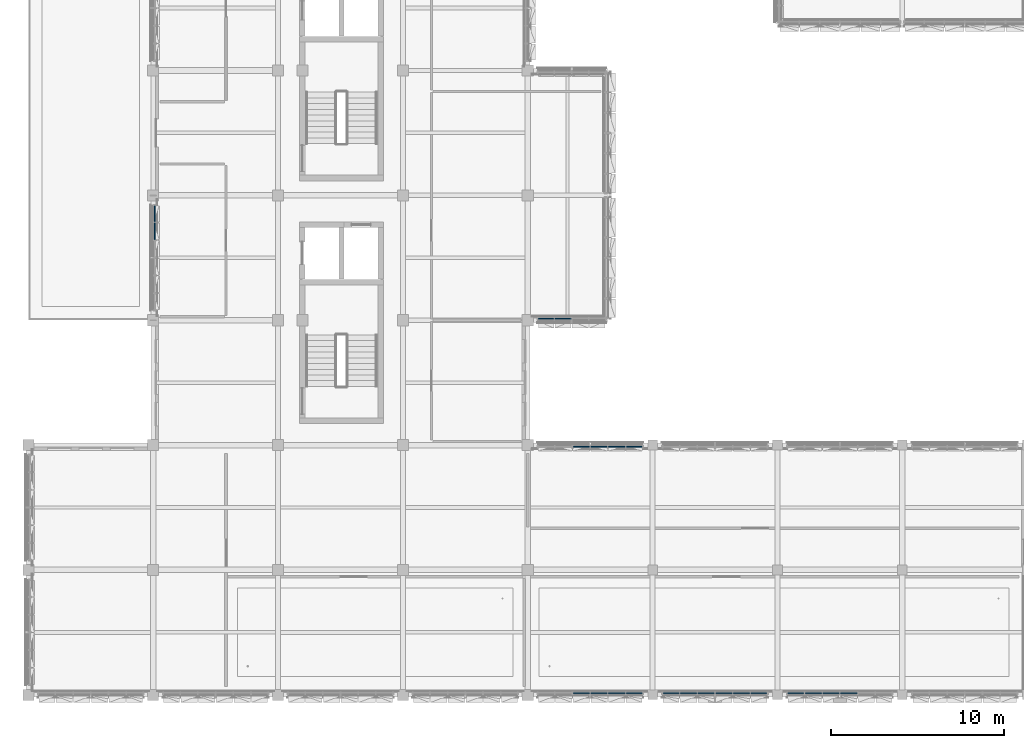
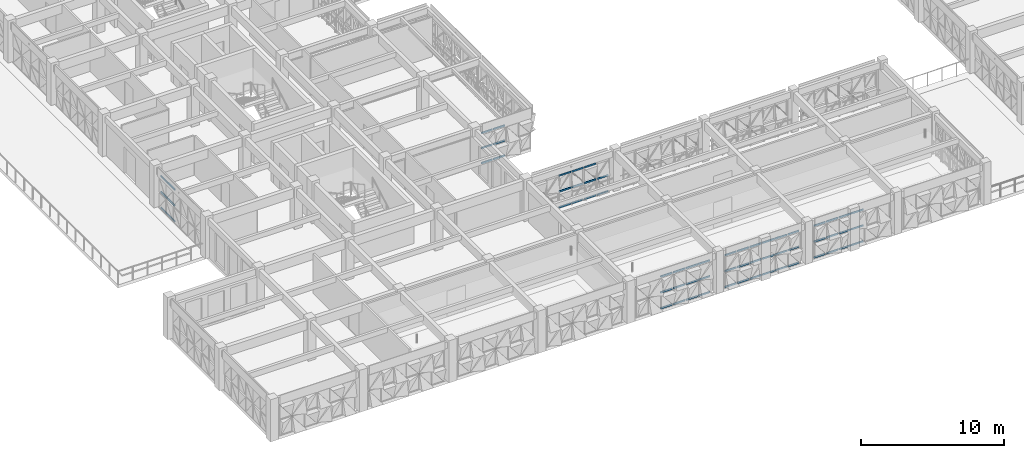
# One storey, part 21 of 85: 65 members, 6 elements without a shape of their own.
"""IFC4 building model written with IfcOpenShell, lengths in metres."""

from ifc_helpers import new_model, si_unit, direction, frame, origin, origin_2d, place, context, subcontext, project, spatial, rectangle, extrude, material, material_profile, profile_set, type_object, element, aggregate, save


model = new_model("IFC4")

# Units and contexts
model_context = context("Model", 3, precision=1e-05, world=origin(), true_north=direction((0.0, 1.0)))
body_context = subcontext(model_context, "Body", "Model", "MODEL_VIEW")
ifc_project = project(units=[si_unit("LENGTHUNIT", "METRE"), si_unit("AREAUNIT", "SQUARE_METRE"), si_unit("VOLUMEUNIT", "CUBIC_METRE"), si_unit("PLANEANGLEUNIT", "RADIAN"), si_unit("MASSUNIT", "GRAM", prefix="KILO")], contexts=[model_context])

# Site, building, storey
site_placement = place(None, origin())
site = spatial("IfcSite", under=ifc_project, at=site_placement, CompositionType="ELEMENT")
building_placement = place(site_placement, origin())
building = spatial("IfcBuilding", under=site, at=building_placement, Name="Alvorim Cloister Faculty of Sciences", CompositionType="ELEMENT")
storey_placement = place(building_placement, frame((0.0, 0.0, 8.550048828125)))
storey = spatial("IfcBuildingStorey", under=building, at=storey_placement, Name="L02", CompositionType="ELEMENT", Elevation=8.550048828125)

# Curtain wall, members
ifc_material_1 = material(Name="Aluminium and Low-E Glass Curtain Wall", Category="aluminium")
curtain_wall_type_1 = type_object("IfcCurtainWallType", Name="CW-TRI-6120x2850", PredefinedType="USERDEFINED", material=ifc_material_1)
curtain_wall_1_placement = place(storey_placement, origin())
curtain_wall_1 = element("IfcCurtainWall", 1, at=curtain_wall_1_placement, inside=storey, type_object=curtain_wall_type_1, Name="L02 Diagonal Cassette Curtain Wall CW-0051", ObjectType="UNITISED CURTAIN WALL", PredefinedType="USERDEFINED")
ifc_material_2 = material(Name="Aluminium Alloy 6063-T6", Category="aluminium")
ifc_material_profile = material_profile(ifc_material_2, rectangle(XDim=0.06494140625, YDim=0.139892578125, at=origin_2d()), Name="ALU-TRN-65x140")
ifc_profile_set = profile_set([ifc_material_profile], Name="Aluminium Alloy 6063-T6")
member_type = type_object("IfcMemberType", Name="CW-TRN-65x140", PredefinedType="USERDEFINED", material=ifc_profile_set)
member_1_placement = place(storey_placement, frame((7.2900390625, 26.25244140625, 0.070068359375), z_axis=(0.0, 1.0, 0.0), x_axis=(-1.0, 0.0, 0.0)))
member_1 = element("IfcMember", 2, at=member_1_placement, type_object=member_type, Name="CW-0051 Transom 5.1", ObjectType="TRANSOM", PredefinedType="USERDEFINED", context=body_context, shape_type="SweptSolid", body=[
    extrude(rectangle(XDim=0.06494140625, YDim=0.139892578125, at=origin_2d()), origin(), (0.0, 0.0, 1.0), 0.955078125),
])
member_2_placement = place(storey_placement, frame((7.2900390625, 26.25244140625, 1.425048828125), z_axis=(0.0, 1.0, 0.0), x_axis=(-1.0, 0.0, 0.0)))
member_2 = element("IfcMember", 3, at=member_2_placement, type_object=member_type, Name="CW-0051 Transom 5.2", ObjectType="TRANSOM", PredefinedType="USERDEFINED", context=body_context, shape_type="SweptSolid", body=[
    extrude(rectangle(XDim=0.06494140625, YDim=0.139892578125, at=origin_2d()), origin(), (0.0, 0.0, 1.0), 0.955078125),
])
member_3_placement = place(storey_placement, frame((7.2900390625, 26.25244140625, 2.780029296875), z_axis=(0.0, 1.0, 0.0), x_axis=(-1.0, 0.0, 0.0)))
member_3 = element("IfcMember", 4, at=member_3_placement, type_object=member_type, Name="CW-0051 Transom 5.3", ObjectType="TRANSOM", PredefinedType="USERDEFINED", context=body_context, shape_type="SweptSolid", body=[
    extrude(rectangle(XDim=0.06494140625, YDim=0.139892578125, at=origin_2d()), origin(), (0.0, 0.0, 1.0), 0.955078125),
])
member_4_placement = place(storey_placement, frame((7.2900390625, 27.2724609375, 0.070068359375), z_axis=(0.0, 1.0, 0.0), x_axis=(-1.0, 0.0, 0.0)))
member_4 = element("IfcMember", 5, at=member_4_placement, type_object=member_type, Name="CW-0051 Transom 6.1", ObjectType="TRANSOM", PredefinedType="USERDEFINED", context=body_context, shape_type="SweptSolid", body=[
    extrude(rectangle(XDim=0.06494140625, YDim=0.139892578125, at=origin_2d()), origin(), (0.0, 0.0, 1.0), 0.922607421875),
])
member_5_placement = place(storey_placement, frame((7.2900390625, 27.2724609375, 1.425048828125), z_axis=(0.0, 1.0, 0.0), x_axis=(-1.0, 0.0, 0.0)))
member_5 = element("IfcMember", 6, at=member_5_placement, type_object=member_type, Name="CW-0051 Transom 6.2", ObjectType="TRANSOM", PredefinedType="USERDEFINED", context=body_context, shape_type="SweptSolid", body=[
    extrude(rectangle(XDim=0.06494140625, YDim=0.139892578125, at=origin_2d()), origin(), (0.0, 0.0, 1.0), 0.922607421875),
])
member_6_placement = place(storey_placement, frame((7.2900390625, 27.2724609375, 2.780029296875), z_axis=(0.0, 1.0, 0.0), x_axis=(-1.0, 0.0, 0.0)))
member_6 = element("IfcMember", 7, at=member_6_placement, type_object=member_type, Name="CW-0051 Transom 6.3", ObjectType="TRANSOM", PredefinedType="USERDEFINED", context=body_context, shape_type="SweptSolid", body=[
    extrude(rectangle(XDim=0.06494140625, YDim=0.139892578125, at=origin_2d()), origin(), (0.0, 0.0, 1.0), 0.922607421875),
])
aggregate(curtain_wall_1, [member_1, member_2, member_3, member_4, member_5, member_6])

curtain_wall_type_2 = type_object("IfcCurtainWallType", Name="CW-TRI-3980x2706", PredefinedType="USERDEFINED", material=ifc_material_1)
curtain_wall_2_placement = place(storey_placement, origin())
curtain_wall_2 = element("IfcCurtainWall", 8, at=curtain_wall_2_placement, inside=storey, type_object=curtain_wall_type_2, Name="L02 Diagonal Cassette Curtain Wall CW-0074", ObjectType="UNITISED CURTAIN WALL", PredefinedType="USERDEFINED")
member_7_placement = place(storey_placement, frame((29.405029296875, 21.68994140625, 0.070068359375), z_axis=(1.0, 0.0, 0.0), x_axis=(0.0, 1.0, 0.0)))
member_7 = element("IfcMember", 9, at=member_7_placement, type_object=member_type, Name="CW-0074 Transom 1.1", ObjectType="TRANSOM", PredefinedType="USERDEFINED", context=body_context, shape_type="SweptSolid", body=[
    extrude(rectangle(XDim=0.06494140625, YDim=0.139892578125, at=origin_2d()), origin(), (0.0, 0.0, 1.0), 0.8974609375),
])
member_8_placement = place(storey_placement, frame((29.405029296875, 21.68994140625, 1.35302734375), z_axis=(1.0, 0.0, 0.0), x_axis=(0.0, 1.0, 0.0)))
member_8 = element("IfcMember", 10, at=member_8_placement, type_object=member_type, Name="CW-0074 Transom 1.2", ObjectType="TRANSOM", PredefinedType="USERDEFINED", context=body_context, shape_type="SweptSolid", body=[
    extrude(rectangle(XDim=0.06494140625, YDim=0.139892578125, at=origin_2d()), origin(), (0.0, 0.0, 1.0), 0.8974609375),
])
member_9_placement = place(storey_placement, frame((29.405029296875, 21.68994140625, 2.635986328125), z_axis=(1.0, 0.0, 0.0), x_axis=(0.0, 1.0, 0.0)))
member_9 = element("IfcMember", 11, at=member_9_placement, type_object=member_type, Name="CW-0074 Transom 1.3", ObjectType="TRANSOM", PredefinedType="USERDEFINED", context=body_context, shape_type="SweptSolid", body=[
    extrude(rectangle(XDim=0.06494140625, YDim=0.139892578125, at=origin_2d()), origin(), (0.0, 0.0, 1.0), 0.8974609375),
])
member_10_placement = place(storey_placement, frame((30.367431640625, 21.68994140625, 0.070068359375), z_axis=(1.0, 0.0, 0.0), x_axis=(0.0, 1.0, 0.0)))
member_10 = element("IfcMember", 12, at=member_10_placement, type_object=member_type, Name="CW-0074 Transom 2.1", ObjectType="TRANSOM", PredefinedType="USERDEFINED", context=body_context, shape_type="SweptSolid", body=[
    extrude(rectangle(XDim=0.06494140625, YDim=0.139892578125, at=origin_2d()), origin(), (0.0, 0.0, 1.0), 0.93017578125),
])
member_11_placement = place(storey_placement, frame((30.367431640625, 21.68994140625, 1.35302734375), z_axis=(1.0, 0.0, 0.0), x_axis=(0.0, 1.0, 0.0)))
member_11 = element("IfcMember", 13, at=member_11_placement, type_object=member_type, Name="CW-0074 Transom 2.2", ObjectType="TRANSOM", PredefinedType="USERDEFINED", context=body_context, shape_type="SweptSolid", body=[
    extrude(rectangle(XDim=0.06494140625, YDim=0.139892578125, at=origin_2d()), origin(), (0.0, 0.0, 1.0), 0.93017578125),
])
member_12_placement = place(storey_placement, frame((30.367431640625, 21.68994140625, 2.635986328125), z_axis=(1.0, 0.0, 0.0), x_axis=(0.0, 1.0, 0.0)))
member_12 = element("IfcMember", 14, at=member_12_placement, type_object=member_type, Name="CW-0074 Transom 2.3", ObjectType="TRANSOM", PredefinedType="USERDEFINED", context=body_context, shape_type="SweptSolid", body=[
    extrude(rectangle(XDim=0.06494140625, YDim=0.139892578125, at=origin_2d()), origin(), (0.0, 0.0, 1.0), 0.93017578125),
])
aggregate(curtain_wall_2, [member_7, member_8, member_9, member_10, member_11, member_12])

curtain_wall_3_placement = place(storey_placement, origin())
curtain_wall_3 = element("IfcCurtainWall", 15, at=curtain_wall_3_placement, inside=storey, type_object=curtain_wall_type_1, Name="L02 Diagonal Cassette Curtain Wall CW-0075", ObjectType="UNITISED CURTAIN WALL", PredefinedType="USERDEFINED")
member_13_placement = place(storey_placement, frame((31.41259765625, 14.31005859375, 0.070068359375), z_axis=(1.0, 0.0, 0.0), x_axis=(0.0, 1.0, 0.0)))
member_13 = element("IfcMember", 16, at=member_13_placement, type_object=member_type, Name="CW-0075 Transom 3.1", ObjectType="TRANSOM", PredefinedType="USERDEFINED", context=body_context, shape_type="SweptSolid", body=[
    extrude(rectangle(XDim=0.06494140625, YDim=0.139892578125, at=origin_2d()), origin(), (0.0, 0.0, 1.0), 0.954833984375),
])
member_14_placement = place(storey_placement, frame((31.41259765625, 14.31005859375, 1.425048828125), z_axis=(1.0, 0.0, 0.0), x_axis=(0.0, 1.0, 0.0)))
member_14 = element("IfcMember", 17, at=member_14_placement, type_object=member_type, Name="CW-0075 Transom 3.2", ObjectType="TRANSOM", PredefinedType="USERDEFINED", context=body_context, shape_type="SweptSolid", body=[
    extrude(rectangle(XDim=0.06494140625, YDim=0.139892578125, at=origin_2d()), origin(), (0.0, 0.0, 1.0), 0.954833984375),
])
member_15_placement = place(storey_placement, frame((31.41259765625, 14.31005859375, 2.780029296875), z_axis=(1.0, 0.0, 0.0), x_axis=(0.0, 1.0, 0.0)))
member_15 = element("IfcMember", 18, at=member_15_placement, type_object=member_type, Name="CW-0075 Transom 3.3", ObjectType="TRANSOM", PredefinedType="USERDEFINED", context=body_context, shape_type="SweptSolid", body=[
    extrude(rectangle(XDim=0.06494140625, YDim=0.139892578125, at=origin_2d()), origin(), (0.0, 0.0, 1.0), 0.954833984375),
])
member_16_placement = place(storey_placement, frame((32.4326171875, 14.31005859375, 0.070068359375), z_axis=(1.0, 0.0, 0.0), x_axis=(0.0, 1.0, 0.0)))
member_16 = element("IfcMember", 19, at=member_16_placement, type_object=member_type, Name="CW-0075 Transom 4.1", ObjectType="TRANSOM", PredefinedType="USERDEFINED", context=body_context, shape_type="SweptSolid", body=[
    extrude(rectangle(XDim=0.06494140625, YDim=0.139892578125, at=origin_2d()), origin(), (0.0, 0.0, 1.0), 0.954833984375),
])
member_17_placement = place(storey_placement, frame((32.4326171875, 14.31005859375, 1.425048828125), z_axis=(1.0, 0.0, 0.0), x_axis=(0.0, 1.0, 0.0)))
member_17 = element("IfcMember", 20, at=member_17_placement, type_object=member_type, Name="CW-0075 Transom 4.2", ObjectType="TRANSOM", PredefinedType="USERDEFINED", context=body_context, shape_type="SweptSolid", body=[
    extrude(rectangle(XDim=0.06494140625, YDim=0.139892578125, at=origin_2d()), origin(), (0.0, 0.0, 1.0), 0.954833984375),
])
member_18_placement = place(storey_placement, frame((32.4326171875, 14.31005859375, 2.780029296875), z_axis=(1.0, 0.0, 0.0), x_axis=(0.0, 1.0, 0.0)))
member_18 = element("IfcMember", 21, at=member_18_placement, type_object=member_type, Name="CW-0075 Transom 4.3", ObjectType="TRANSOM", PredefinedType="USERDEFINED", context=body_context, shape_type="SweptSolid", body=[
    extrude(rectangle(XDim=0.06494140625, YDim=0.139892578125, at=origin_2d()), origin(), (0.0, 0.0, 1.0), 0.954833984375),
])
member_19_placement = place(storey_placement, frame((33.452392578125, 14.31005859375, 0.070068359375), z_axis=(1.0, 0.0, 0.0), x_axis=(0.0, 1.0, 0.0)))
member_19 = element("IfcMember", 22, at=member_19_placement, type_object=member_type, Name="CW-0075 Transom 5.1", ObjectType="TRANSOM", PredefinedType="USERDEFINED", context=body_context, shape_type="SweptSolid", body=[
    extrude(rectangle(XDim=0.06494140625, YDim=0.139892578125, at=origin_2d()), origin(), (0.0, 0.0, 1.0), 0.955078125),
])
member_20_placement = place(storey_placement, frame((33.452392578125, 14.31005859375, 1.425048828125), z_axis=(1.0, 0.0, 0.0), x_axis=(0.0, 1.0, 0.0)))
member_20 = element("IfcMember", 23, at=member_20_placement, type_object=member_type, Name="CW-0075 Transom 5.2", ObjectType="TRANSOM", PredefinedType="USERDEFINED", context=body_context, shape_type="SweptSolid", body=[
    extrude(rectangle(XDim=0.06494140625, YDim=0.139892578125, at=origin_2d()), origin(), (0.0, 0.0, 1.0), 0.955078125),
])
member_21_placement = place(storey_placement, frame((33.452392578125, 14.31005859375, 2.780029296875), z_axis=(1.0, 0.0, 0.0), x_axis=(0.0, 1.0, 0.0)))
member_21 = element("IfcMember", 24, at=member_21_placement, type_object=member_type, Name="CW-0075 Transom 5.3", ObjectType="TRANSOM", PredefinedType="USERDEFINED", context=body_context, shape_type="SweptSolid", body=[
    extrude(rectangle(XDim=0.06494140625, YDim=0.139892578125, at=origin_2d()), origin(), (0.0, 0.0, 1.0), 0.955078125),
])
member_22_placement = place(storey_placement, frame((34.472412109375, 14.31005859375, 0.070068359375), z_axis=(1.0, 0.0, 0.0), x_axis=(0.0, 1.0, 0.0)))
member_22 = element("IfcMember", 25, at=member_22_placement, type_object=member_type, Name="CW-0075 Transom 6.1", ObjectType="TRANSOM", PredefinedType="USERDEFINED", context=body_context, shape_type="SweptSolid", body=[
    extrude(rectangle(XDim=0.06494140625, YDim=0.139892578125, at=origin_2d()), origin(), (0.0, 0.0, 1.0), 0.922607421875),
])
member_23_placement = place(storey_placement, frame((34.472412109375, 14.31005859375, 1.425048828125), z_axis=(1.0, 0.0, 0.0), x_axis=(0.0, 1.0, 0.0)))
member_23 = element("IfcMember", 26, at=member_23_placement, type_object=member_type, Name="CW-0075 Transom 6.2", ObjectType="TRANSOM", PredefinedType="USERDEFINED", context=body_context, shape_type="SweptSolid", body=[
    extrude(rectangle(XDim=0.06494140625, YDim=0.139892578125, at=origin_2d()), origin(), (0.0, 0.0, 1.0), 0.922607421875),
])
aggregate(curtain_wall_3, [member_13, member_14, member_15, member_16, member_17, member_18, member_19, member_20, member_21, member_22, member_23])

curtain_wall_4_placement = place(storey_placement, origin())
curtain_wall_4 = element("IfcCurtainWall", 27, at=curtain_wall_4_placement, inside=storey, type_object=curtain_wall_type_1, Name="L02 Diagonal Cassette Curtain Wall CW-0081", ObjectType="UNITISED CURTAIN WALL", PredefinedType="USERDEFINED")
member_24_placement = place(storey_placement, frame((43.804931640625, 0.090087890625, 0.070068359375), z_axis=(1.0, 0.0, 0.0), x_axis=(0.0, 1.0, 0.0)))
member_24 = element("IfcMember", 28, at=member_24_placement, type_object=member_type, Name="CW-0081 Transom 1.1", ObjectType="TRANSOM", PredefinedType="USERDEFINED", context=body_context, shape_type="SweptSolid", body=[
    extrude(rectangle(XDim=0.06494140625, YDim=0.139892578125, at=origin_2d()), origin(), (0.0, 0.0, 1.0), 0.922607421875),
])
member_25_placement = place(storey_placement, frame((43.804931640625, 0.090087890625, 1.425048828125), z_axis=(1.0, 0.0, 0.0), x_axis=(0.0, 1.0, 0.0)))
member_25 = element("IfcMember", 29, at=member_25_placement, type_object=member_type, Name="CW-0081 Transom 1.2", ObjectType="TRANSOM", PredefinedType="USERDEFINED", context=body_context, shape_type="SweptSolid", body=[
    extrude(rectangle(XDim=0.06494140625, YDim=0.139892578125, at=origin_2d()), origin(), (0.0, 0.0, 1.0), 0.922607421875),
])
member_26_placement = place(storey_placement, frame((43.804931640625, 0.090087890625, 2.780029296875), z_axis=(1.0, 0.0, 0.0), x_axis=(0.0, 1.0, 0.0)))
member_26 = element("IfcMember", 30, at=member_26_placement, type_object=member_type, Name="CW-0081 Transom 1.3", ObjectType="TRANSOM", PredefinedType="USERDEFINED", context=body_context, shape_type="SweptSolid", body=[
    extrude(rectangle(XDim=0.06494140625, YDim=0.139892578125, at=origin_2d()), origin(), (0.0, 0.0, 1.0), 0.922607421875),
])
member_27_placement = place(storey_placement, frame((44.79248046875, 0.090087890625, 0.070068359375), z_axis=(1.0, 0.0, 0.0), x_axis=(0.0, 1.0, 0.0)))
member_27 = element("IfcMember", 31, at=member_27_placement, type_object=member_type, Name="CW-0081 Transom 2.1", ObjectType="TRANSOM", PredefinedType="USERDEFINED", context=body_context, shape_type="SweptSolid", body=[
    extrude(rectangle(XDim=0.06494140625, YDim=0.139892578125, at=origin_2d()), origin(), (0.0, 0.0, 1.0), 0.955078125),
])
member_28_placement = place(storey_placement, frame((44.79248046875, 0.090087890625, 1.425048828125), z_axis=(1.0, 0.0, 0.0), x_axis=(0.0, 1.0, 0.0)))
member_28 = element("IfcMember", 32, at=member_28_placement, type_object=member_type, Name="CW-0081 Transom 2.2", ObjectType="TRANSOM", PredefinedType="USERDEFINED", context=body_context, shape_type="SweptSolid", body=[
    extrude(rectangle(XDim=0.06494140625, YDim=0.139892578125, at=origin_2d()), origin(), (0.0, 0.0, 1.0), 0.955078125),
])
member_29_placement = place(storey_placement, frame((44.79248046875, 0.090087890625, 2.780029296875), z_axis=(1.0, 0.0, 0.0), x_axis=(0.0, 1.0, 0.0)))
member_29 = element("IfcMember", 33, at=member_29_placement, type_object=member_type, Name="CW-0081 Transom 2.3", ObjectType="TRANSOM", PredefinedType="USERDEFINED", context=body_context, shape_type="SweptSolid", body=[
    extrude(rectangle(XDim=0.06494140625, YDim=0.139892578125, at=origin_2d()), origin(), (0.0, 0.0, 1.0), 0.955078125),
])
member_30_placement = place(storey_placement, frame((45.8125, 0.090087890625, 0.070068359375), z_axis=(1.0, 0.0, 0.0), x_axis=(0.0, 1.0, 0.0)))
member_30 = element("IfcMember", 34, at=member_30_placement, type_object=member_type, Name="CW-0081 Transom 3.1", ObjectType="TRANSOM", PredefinedType="USERDEFINED", context=body_context, shape_type="SweptSolid", body=[
    extrude(rectangle(XDim=0.06494140625, YDim=0.139892578125, at=origin_2d()), origin(), (0.0, 0.0, 1.0), 0.955078125),
])
member_31_placement = place(storey_placement, frame((45.8125, 0.090087890625, 1.425048828125), z_axis=(1.0, 0.0, 0.0), x_axis=(0.0, 1.0, 0.0)))
member_31 = element("IfcMember", 35, at=member_31_placement, type_object=member_type, Name="CW-0081 Transom 3.2", ObjectType="TRANSOM", PredefinedType="USERDEFINED", context=body_context, shape_type="SweptSolid", body=[
    extrude(rectangle(XDim=0.06494140625, YDim=0.139892578125, at=origin_2d()), origin(), (0.0, 0.0, 1.0), 0.955078125),
])
member_32_placement = place(storey_placement, frame((45.8125, 0.090087890625, 2.780029296875), z_axis=(1.0, 0.0, 0.0), x_axis=(0.0, 1.0, 0.0)))
member_32 = element("IfcMember", 36, at=member_32_placement, type_object=member_type, Name="CW-0081 Transom 3.3", ObjectType="TRANSOM", PredefinedType="USERDEFINED", context=body_context, shape_type="SweptSolid", body=[
    extrude(rectangle(XDim=0.06494140625, YDim=0.139892578125, at=origin_2d()), origin(), (0.0, 0.0, 1.0), 0.955078125),
])
member_33_placement = place(storey_placement, frame((46.83251953125, 0.090087890625, 0.070068359375), z_axis=(1.0, 0.0, 0.0), x_axis=(0.0, 1.0, 0.0)))
member_33 = element("IfcMember", 37, at=member_33_placement, type_object=member_type, Name="CW-0081 Transom 4.1", ObjectType="TRANSOM", PredefinedType="USERDEFINED", context=body_context, shape_type="SweptSolid", body=[
    extrude(rectangle(XDim=0.06494140625, YDim=0.139892578125, at=origin_2d()), origin(), (0.0, 0.0, 1.0), 0.955078125),
])
member_34_placement = place(storey_placement, frame((46.83251953125, 0.090087890625, 1.425048828125), z_axis=(1.0, 0.0, 0.0), x_axis=(0.0, 1.0, 0.0)))
member_34 = element("IfcMember", 38, at=member_34_placement, type_object=member_type, Name="CW-0081 Transom 4.2", ObjectType="TRANSOM", PredefinedType="USERDEFINED", context=body_context, shape_type="SweptSolid", body=[
    extrude(rectangle(XDim=0.06494140625, YDim=0.139892578125, at=origin_2d()), origin(), (0.0, 0.0, 1.0), 0.955078125),
])
member_35_placement = place(storey_placement, frame((46.83251953125, 0.090087890625, 2.780029296875), z_axis=(1.0, 0.0, 0.0), x_axis=(0.0, 1.0, 0.0)))
member_35 = element("IfcMember", 39, at=member_35_placement, type_object=member_type, Name="CW-0081 Transom 4.3", ObjectType="TRANSOM", PredefinedType="USERDEFINED", context=body_context, shape_type="SweptSolid", body=[
    extrude(rectangle(XDim=0.06494140625, YDim=0.139892578125, at=origin_2d()), origin(), (0.0, 0.0, 1.0), 0.955078125),
])
aggregate(curtain_wall_4, [member_24, member_25, member_26, member_27, member_28, member_29, member_30, member_31, member_32, member_33, member_34, member_35])

curtain_wall_5_placement = place(storey_placement, origin())
curtain_wall_5 = element("IfcCurtainWall", 40, at=curtain_wall_5_placement, inside=storey, type_object=curtain_wall_type_1, Name="L02 Diagonal Cassette Curtain Wall CW-0082", ObjectType="UNITISED CURTAIN WALL", PredefinedType="USERDEFINED")
member_36_placement = place(storey_placement, frame((36.60498046875, 0.090087890625, 0.070068359375), z_axis=(1.0, 0.0, 0.0), x_axis=(0.0, 1.0, 0.0)))
member_36 = element("IfcMember", 41, at=member_36_placement, type_object=member_type, Name="CW-0082 Transom 1.1", ObjectType="TRANSOM", PredefinedType="USERDEFINED", context=body_context, shape_type="SweptSolid", body=[
    extrude(rectangle(XDim=0.06494140625, YDim=0.139892578125, at=origin_2d()), origin(), (0.0, 0.0, 1.0), 0.922607421875),
])
member_37_placement = place(storey_placement, frame((36.60498046875, 0.090087890625, 1.425048828125), z_axis=(1.0, 0.0, 0.0), x_axis=(0.0, 1.0, 0.0)))
member_37 = element("IfcMember", 42, at=member_37_placement, type_object=member_type, Name="CW-0082 Transom 1.2", ObjectType="TRANSOM", PredefinedType="USERDEFINED", context=body_context, shape_type="SweptSolid", body=[
    extrude(rectangle(XDim=0.06494140625, YDim=0.139892578125, at=origin_2d()), origin(), (0.0, 0.0, 1.0), 0.922607421875),
])
member_38_placement = place(storey_placement, frame((36.60498046875, 0.090087890625, 2.780029296875), z_axis=(1.0, 0.0, 0.0), x_axis=(0.0, 1.0, 0.0)))
member_38 = element("IfcMember", 43, at=member_38_placement, type_object=member_type, Name="CW-0082 Transom 1.3", ObjectType="TRANSOM", PredefinedType="USERDEFINED", context=body_context, shape_type="SweptSolid", body=[
    extrude(rectangle(XDim=0.06494140625, YDim=0.139892578125, at=origin_2d()), origin(), (0.0, 0.0, 1.0), 0.922607421875),
])
member_39_placement = place(storey_placement, frame((37.592529296875, 0.090087890625, 0.070068359375), z_axis=(1.0, 0.0, 0.0), x_axis=(0.0, 1.0, 0.0)))
member_39 = element("IfcMember", 44, at=member_39_placement, type_object=member_type, Name="CW-0082 Transom 2.1", ObjectType="TRANSOM", PredefinedType="USERDEFINED", context=body_context, shape_type="SweptSolid", body=[
    extrude(rectangle(XDim=0.06494140625, YDim=0.139892578125, at=origin_2d()), origin(), (0.0, 0.0, 1.0), 0.955078125),
])
member_40_placement = place(storey_placement, frame((37.592529296875, 0.090087890625, 1.425048828125), z_axis=(1.0, 0.0, 0.0), x_axis=(0.0, 1.0, 0.0)))
member_40 = element("IfcMember", 45, at=member_40_placement, type_object=member_type, Name="CW-0082 Transom 2.2", ObjectType="TRANSOM", PredefinedType="USERDEFINED", context=body_context, shape_type="SweptSolid", body=[
    extrude(rectangle(XDim=0.06494140625, YDim=0.139892578125, at=origin_2d()), origin(), (0.0, 0.0, 1.0), 0.955078125),
])
member_41_placement = place(storey_placement, frame((37.592529296875, 0.090087890625, 2.780029296875), z_axis=(1.0, 0.0, 0.0), x_axis=(0.0, 1.0, 0.0)))
member_41 = element("IfcMember", 46, at=member_41_placement, type_object=member_type, Name="CW-0082 Transom 2.3", ObjectType="TRANSOM", PredefinedType="USERDEFINED", context=body_context, shape_type="SweptSolid", body=[
    extrude(rectangle(XDim=0.06494140625, YDim=0.139892578125, at=origin_2d()), origin(), (0.0, 0.0, 1.0), 0.955078125),
])
member_42_placement = place(storey_placement, frame((38.612548828125, 0.090087890625, 0.070068359375), z_axis=(1.0, 0.0, 0.0), x_axis=(0.0, 1.0, 0.0)))
member_42 = element("IfcMember", 47, at=member_42_placement, type_object=member_type, Name="CW-0082 Transom 3.1", ObjectType="TRANSOM", PredefinedType="USERDEFINED", context=body_context, shape_type="SweptSolid", body=[
    extrude(rectangle(XDim=0.06494140625, YDim=0.139892578125, at=origin_2d()), origin(), (0.0, 0.0, 1.0), 0.954833984375),
])
member_43_placement = place(storey_placement, frame((38.612548828125, 0.090087890625, 1.425048828125), z_axis=(1.0, 0.0, 0.0), x_axis=(0.0, 1.0, 0.0)))
member_43 = element("IfcMember", 48, at=member_43_placement, type_object=member_type, Name="CW-0082 Transom 3.2", ObjectType="TRANSOM", PredefinedType="USERDEFINED", context=body_context, shape_type="SweptSolid", body=[
    extrude(rectangle(XDim=0.06494140625, YDim=0.139892578125, at=origin_2d()), origin(), (0.0, 0.0, 1.0), 0.954833984375),
])
member_44_placement = place(storey_placement, frame((38.612548828125, 0.090087890625, 2.780029296875), z_axis=(1.0, 0.0, 0.0), x_axis=(0.0, 1.0, 0.0)))
member_44 = element("IfcMember", 49, at=member_44_placement, type_object=member_type, Name="CW-0082 Transom 3.3", ObjectType="TRANSOM", PredefinedType="USERDEFINED", context=body_context, shape_type="SweptSolid", body=[
    extrude(rectangle(XDim=0.06494140625, YDim=0.139892578125, at=origin_2d()), origin(), (0.0, 0.0, 1.0), 0.954833984375),
])
member_45_placement = place(storey_placement, frame((39.632568359375, 0.090087890625, 0.070068359375), z_axis=(1.0, 0.0, 0.0), x_axis=(0.0, 1.0, 0.0)))
member_45 = element("IfcMember", 50, at=member_45_placement, type_object=member_type, Name="CW-0082 Transom 4.1", ObjectType="TRANSOM", PredefinedType="USERDEFINED", context=body_context, shape_type="SweptSolid", body=[
    extrude(rectangle(XDim=0.06494140625, YDim=0.139892578125, at=origin_2d()), origin(), (0.0, 0.0, 1.0), 0.954833984375),
])
member_46_placement = place(storey_placement, frame((39.632568359375, 0.090087890625, 1.425048828125), z_axis=(1.0, 0.0, 0.0), x_axis=(0.0, 1.0, 0.0)))
member_46 = element("IfcMember", 51, at=member_46_placement, type_object=member_type, Name="CW-0082 Transom 4.2", ObjectType="TRANSOM", PredefinedType="USERDEFINED", context=body_context, shape_type="SweptSolid", body=[
    extrude(rectangle(XDim=0.06494140625, YDim=0.139892578125, at=origin_2d()), origin(), (0.0, 0.0, 1.0), 0.954833984375),
])
member_47_placement = place(storey_placement, frame((39.632568359375, 0.090087890625, 2.780029296875), z_axis=(1.0, 0.0, 0.0), x_axis=(0.0, 1.0, 0.0)))
member_47 = element("IfcMember", 52, at=member_47_placement, type_object=member_type, Name="CW-0082 Transom 4.3", ObjectType="TRANSOM", PredefinedType="USERDEFINED", context=body_context, shape_type="SweptSolid", body=[
    extrude(rectangle(XDim=0.06494140625, YDim=0.139892578125, at=origin_2d()), origin(), (0.0, 0.0, 1.0), 0.954833984375),
])
member_48_placement = place(storey_placement, frame((40.652587890625, 0.090087890625, 0.070068359375), z_axis=(1.0, 0.0, 0.0), x_axis=(0.0, 1.0, 0.0)))
member_48 = element("IfcMember", 53, at=member_48_placement, type_object=member_type, Name="CW-0082 Transom 5.1", ObjectType="TRANSOM", PredefinedType="USERDEFINED", context=body_context, shape_type="SweptSolid", body=[
    extrude(rectangle(XDim=0.06494140625, YDim=0.139892578125, at=origin_2d()), origin(), (0.0, 0.0, 1.0), 0.954833984375),
])
member_49_placement = place(storey_placement, frame((40.652587890625, 0.090087890625, 1.425048828125), z_axis=(1.0, 0.0, 0.0), x_axis=(0.0, 1.0, 0.0)))
member_49 = element("IfcMember", 54, at=member_49_placement, type_object=member_type, Name="CW-0082 Transom 5.2", ObjectType="TRANSOM", PredefinedType="USERDEFINED", context=body_context, shape_type="SweptSolid", body=[
    extrude(rectangle(XDim=0.06494140625, YDim=0.139892578125, at=origin_2d()), origin(), (0.0, 0.0, 1.0), 0.954833984375),
])
member_50_placement = place(storey_placement, frame((40.652587890625, 0.090087890625, 2.780029296875), z_axis=(1.0, 0.0, 0.0), x_axis=(0.0, 1.0, 0.0)))
member_50 = element("IfcMember", 55, at=member_50_placement, type_object=member_type, Name="CW-0082 Transom 5.3", ObjectType="TRANSOM", PredefinedType="USERDEFINED", context=body_context, shape_type="SweptSolid", body=[
    extrude(rectangle(XDim=0.06494140625, YDim=0.139892578125, at=origin_2d()), origin(), (0.0, 0.0, 1.0), 0.954833984375),
])
member_51_placement = place(storey_placement, frame((41.672607421875, 0.090087890625, 0.070068359375), z_axis=(1.0, 0.0, 0.0), x_axis=(0.0, 1.0, 0.0)))
member_51 = element("IfcMember", 56, at=member_51_placement, type_object=member_type, Name="CW-0082 Transom 6.1", ObjectType="TRANSOM", PredefinedType="USERDEFINED", context=body_context, shape_type="SweptSolid", body=[
    extrude(rectangle(XDim=0.06494140625, YDim=0.139892578125, at=origin_2d()), origin(), (0.0, 0.0, 1.0), 0.92236328125),
])
member_52_placement = place(storey_placement, frame((41.672607421875, 0.090087890625, 1.425048828125), z_axis=(1.0, 0.0, 0.0), x_axis=(0.0, 1.0, 0.0)))
member_52 = element("IfcMember", 57, at=member_52_placement, type_object=member_type, Name="CW-0082 Transom 6.2", ObjectType="TRANSOM", PredefinedType="USERDEFINED", context=body_context, shape_type="SweptSolid", body=[
    extrude(rectangle(XDim=0.06494140625, YDim=0.139892578125, at=origin_2d()), origin(), (0.0, 0.0, 1.0), 0.92236328125),
])
member_53_placement = place(storey_placement, frame((41.672607421875, 0.090087890625, 2.780029296875), z_axis=(1.0, 0.0, 0.0), x_axis=(0.0, 1.0, 0.0)))
member_53 = element("IfcMember", 58, at=member_53_placement, type_object=member_type, Name="CW-0082 Transom 6.3", ObjectType="TRANSOM", PredefinedType="USERDEFINED", context=body_context, shape_type="SweptSolid", body=[
    extrude(rectangle(XDim=0.06494140625, YDim=0.139892578125, at=origin_2d()), origin(), (0.0, 0.0, 1.0), 0.92236328125),
])
aggregate(curtain_wall_5, [member_36, member_37, member_38, member_39, member_40, member_41, member_42, member_43, member_44, member_45, member_46, member_47, member_48, member_49, member_50, member_51, member_52, member_53])

curtain_wall_6_placement = place(storey_placement, origin())
curtain_wall_6 = element("IfcCurtainWall", 59, at=curtain_wall_6_placement, inside=storey, type_object=curtain_wall_type_1, Name="L02 Diagonal Cassette Curtain Wall CW-0083", ObjectType="UNITISED CURTAIN WALL", PredefinedType="USERDEFINED")
member_54_placement = place(storey_placement, frame((31.41259765625, 0.090087890625, 0.070068359375), z_axis=(1.0, 0.0, 0.0), x_axis=(0.0, 1.0, 0.0)))
member_54 = element("IfcMember", 60, at=member_54_placement, type_object=member_type, Name="CW-0083 Transom 3.1", ObjectType="TRANSOM", PredefinedType="USERDEFINED", context=body_context, shape_type="SweptSolid", body=[
    extrude(rectangle(XDim=0.06494140625, YDim=0.139892578125, at=origin_2d()), origin(), (0.0, 0.0, 1.0), 0.954833984375),
])
member_55_placement = place(storey_placement, frame((31.41259765625, 0.090087890625, 1.425048828125), z_axis=(1.0, 0.0, 0.0), x_axis=(0.0, 1.0, 0.0)))
member_55 = element("IfcMember", 61, at=member_55_placement, type_object=member_type, Name="CW-0083 Transom 3.2", ObjectType="TRANSOM", PredefinedType="USERDEFINED", context=body_context, shape_type="SweptSolid", body=[
    extrude(rectangle(XDim=0.06494140625, YDim=0.139892578125, at=origin_2d()), origin(), (0.0, 0.0, 1.0), 0.954833984375),
])
member_56_placement = place(storey_placement, frame((31.41259765625, 0.090087890625, 2.780029296875), z_axis=(1.0, 0.0, 0.0), x_axis=(0.0, 1.0, 0.0)))
member_56 = element("IfcMember", 62, at=member_56_placement, type_object=member_type, Name="CW-0083 Transom 3.3", ObjectType="TRANSOM", PredefinedType="USERDEFINED", context=body_context, shape_type="SweptSolid", body=[
    extrude(rectangle(XDim=0.06494140625, YDim=0.139892578125, at=origin_2d()), origin(), (0.0, 0.0, 1.0), 0.954833984375),
])
member_57_placement = place(storey_placement, frame((32.4326171875, 0.090087890625, 0.070068359375), z_axis=(1.0, 0.0, 0.0), x_axis=(0.0, 1.0, 0.0)))
member_57 = element("IfcMember", 63, at=member_57_placement, type_object=member_type, Name="CW-0083 Transom 4.1", ObjectType="TRANSOM", PredefinedType="USERDEFINED", context=body_context, shape_type="SweptSolid", body=[
    extrude(rectangle(XDim=0.06494140625, YDim=0.139892578125, at=origin_2d()), origin(), (0.0, 0.0, 1.0), 0.954833984375),
])
member_58_placement = place(storey_placement, frame((32.4326171875, 0.090087890625, 1.425048828125), z_axis=(1.0, 0.0, 0.0), x_axis=(0.0, 1.0, 0.0)))
member_58 = element("IfcMember", 64, at=member_58_placement, type_object=member_type, Name="CW-0083 Transom 4.2", ObjectType="TRANSOM", PredefinedType="USERDEFINED", context=body_context, shape_type="SweptSolid", body=[
    extrude(rectangle(XDim=0.06494140625, YDim=0.139892578125, at=origin_2d()), origin(), (0.0, 0.0, 1.0), 0.954833984375),
])
member_59_placement = place(storey_placement, frame((32.4326171875, 0.090087890625, 2.780029296875), z_axis=(1.0, 0.0, 0.0), x_axis=(0.0, 1.0, 0.0)))
member_59 = element("IfcMember", 65, at=member_59_placement, type_object=member_type, Name="CW-0083 Transom 4.3", ObjectType="TRANSOM", PredefinedType="USERDEFINED", context=body_context, shape_type="SweptSolid", body=[
    extrude(rectangle(XDim=0.06494140625, YDim=0.139892578125, at=origin_2d()), origin(), (0.0, 0.0, 1.0), 0.954833984375),
])
member_60_placement = place(storey_placement, frame((33.452392578125, 0.090087890625, 0.070068359375), z_axis=(1.0, 0.0, 0.0), x_axis=(0.0, 1.0, 0.0)))
member_60 = element("IfcMember", 66, at=member_60_placement, type_object=member_type, Name="CW-0083 Transom 5.1", ObjectType="TRANSOM", PredefinedType="USERDEFINED", context=body_context, shape_type="SweptSolid", body=[
    extrude(rectangle(XDim=0.06494140625, YDim=0.139892578125, at=origin_2d()), origin(), (0.0, 0.0, 1.0), 0.955078125),
])
member_61_placement = place(storey_placement, frame((33.452392578125, 0.090087890625, 1.425048828125), z_axis=(1.0, 0.0, 0.0), x_axis=(0.0, 1.0, 0.0)))
member_61 = element("IfcMember", 67, at=member_61_placement, type_object=member_type, Name="CW-0083 Transom 5.2", ObjectType="TRANSOM", PredefinedType="USERDEFINED", context=body_context, shape_type="SweptSolid", body=[
    extrude(rectangle(XDim=0.06494140625, YDim=0.139892578125, at=origin_2d()), origin(), (0.0, 0.0, 1.0), 0.955078125),
])
member_62_placement = place(storey_placement, frame((33.452392578125, 0.090087890625, 2.780029296875), z_axis=(1.0, 0.0, 0.0), x_axis=(0.0, 1.0, 0.0)))
member_62 = element("IfcMember", 68, at=member_62_placement, type_object=member_type, Name="CW-0083 Transom 5.3", ObjectType="TRANSOM", PredefinedType="USERDEFINED", context=body_context, shape_type="SweptSolid", body=[
    extrude(rectangle(XDim=0.06494140625, YDim=0.139892578125, at=origin_2d()), origin(), (0.0, 0.0, 1.0), 0.955078125),
])
member_63_placement = place(storey_placement, frame((34.472412109375, 0.090087890625, 0.070068359375), z_axis=(1.0, 0.0, 0.0), x_axis=(0.0, 1.0, 0.0)))
member_63 = element("IfcMember", 69, at=member_63_placement, type_object=member_type, Name="CW-0083 Transom 6.1", ObjectType="TRANSOM", PredefinedType="USERDEFINED", context=body_context, shape_type="SweptSolid", body=[
    extrude(rectangle(XDim=0.06494140625, YDim=0.139892578125, at=origin_2d()), origin(), (0.0, 0.0, 1.0), 0.922607421875),
])
member_64_placement = place(storey_placement, frame((34.472412109375, 0.090087890625, 1.425048828125), z_axis=(1.0, 0.0, 0.0), x_axis=(0.0, 1.0, 0.0)))
member_64 = element("IfcMember", 70, at=member_64_placement, type_object=member_type, Name="CW-0083 Transom 6.2", ObjectType="TRANSOM", PredefinedType="USERDEFINED", context=body_context, shape_type="SweptSolid", body=[
    extrude(rectangle(XDim=0.06494140625, YDim=0.139892578125, at=origin_2d()), origin(), (0.0, 0.0, 1.0), 0.922607421875),
])
member_65_placement = place(storey_placement, frame((34.472412109375, 0.090087890625, 2.780029296875), z_axis=(1.0, 0.0, 0.0), x_axis=(0.0, 1.0, 0.0)))
member_65 = element("IfcMember", 71, at=member_65_placement, type_object=member_type, Name="CW-0083 Transom 6.3", ObjectType="TRANSOM", PredefinedType="USERDEFINED", context=body_context, shape_type="SweptSolid", body=[
    extrude(rectangle(XDim=0.06494140625, YDim=0.139892578125, at=origin_2d()), origin(), (0.0, 0.0, 1.0), 0.922607421875),
])
aggregate(curtain_wall_6, [member_54, member_55, member_56, member_57, member_58, member_59, member_60, member_61, member_62, member_63, member_64, member_65])

save(model, "model.ifc")
